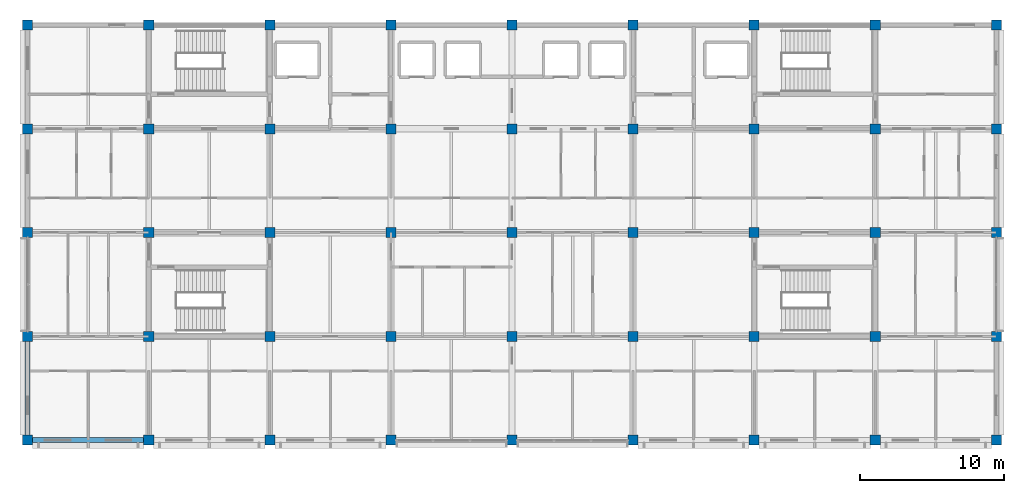
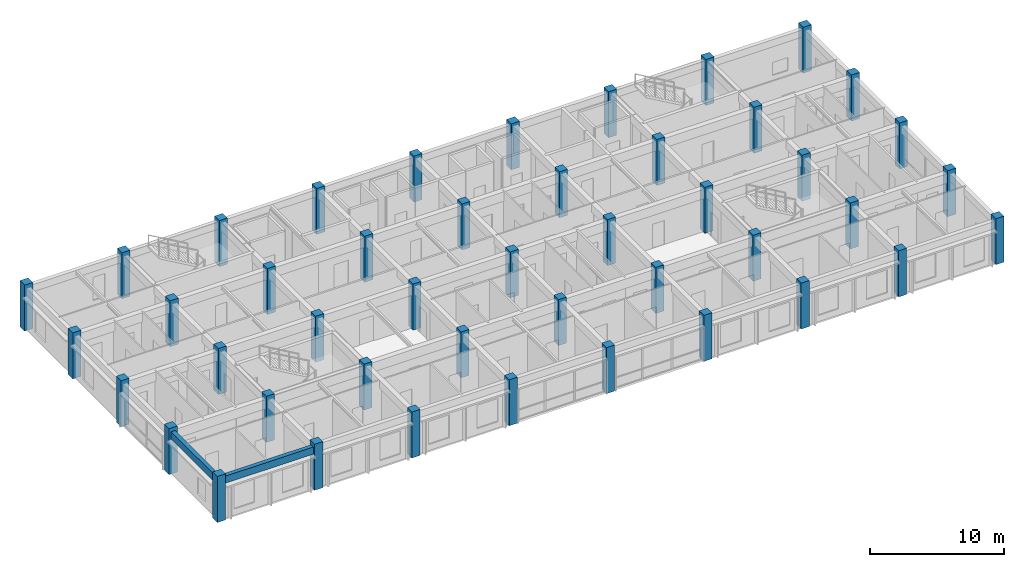
# One storey, part 1 of 19: 45 columns, 2 beams.
"""IFC4 building model written with IfcOpenShell, lengths in metres."""

from ifc_helpers import new_model, si_unit, direction, frame, origin, origin_2d, place, context, subcontext, project, spatial, rectangle, extrude, material, material_profile, profile_set, type_object, element, save


model = new_model("IFC4")

# Units and contexts
model_context = context("Model", 3, precision=1e-05, world=origin(), true_north=direction((0.0, 1.0)))
body_context = subcontext(model_context, "Body", "Model", "MODEL_VIEW")
ifc_project = project(units=[si_unit("LENGTHUNIT", "METRE"), si_unit("AREAUNIT", "SQUARE_METRE"), si_unit("VOLUMEUNIT", "CUBIC_METRE"), si_unit("PLANEANGLEUNIT", "RADIAN"), si_unit("MASSUNIT", "GRAM", prefix="KILO")], contexts=[model_context])

# Site, building, storey
site_placement = place(None, origin())
site = spatial("IfcSite", under=ifc_project, at=site_placement, CompositionType="ELEMENT")
building_placement = place(site_placement, origin())
building = spatial("IfcBuilding", under=site, at=building_placement, Name="Chengyuan Square Courthouse", CompositionType="ELEMENT")
storey_placement = place(building_placement, frame((0.0, 0.0, 56.10009765625)))
storey = spatial("IfcBuildingStorey", under=building, at=storey_placement, Name="L13", CompositionType="ELEMENT", Elevation=56.10009765625)

# Columns
ifc_material = material(Name="Concrete C40", Category="concrete")
ifc_material_profile_1 = material_profile(ifc_material, rectangle(XDim=0.699951171875, YDim=0.699951171875, at=origin_2d()), Name="RC-COL-700x700")
ifc_profile_set_1 = profile_set([ifc_material_profile_1], Name="Concrete C40")
column_type = type_object("IfcColumnType", Name="CL-06", PredefinedType="COLUMN", material=ifc_profile_set_1)
for number, where, z_axis, x_axis, name in (
    (1, (50.39990234375, 79.199951171875, 0.0), (0.0, 0.0, 1.0), (1.0, 0.0, 0.0), "Column CL-L13-001"),
    (2, (50.39990234375, 86.39990234375, 0.0), (0.0, 0.0, 1.0), (1.0, 0.0, 0.0), "Column CL-L13-002"),
    (3, (50.39990234375, 93.60009765625, 0.0), (0.0, 0.0, 1.0), (1.0, 0.0, 0.0), "Column CL-L13-003"),
    (4, (50.39990234375, 100.800048828125, 0.0), (0.0, 0.0, 1.0), (1.0, 0.0, 0.0), "Column CL-L13-004"),
    (5, (50.39990234375, 108.0, 0.0), (0.0, 0.0, 1.0), (1.0, 0.0, 0.0), "Column CL-L13-005"),
    (6, (58.800048828125, 79.199951171875, 0.0), (0.0, 0.0, 1.0), (1.0, 0.0, 0.0), "Column CL-L13-006"),
    (7, (58.800048828125, 86.39990234375, 0.0), (0.0, 0.0, 1.0), (1.0, 0.0, 0.0), "Column CL-L13-007"),
    (8, (58.800048828125, 93.60009765625, 0.0), (0.0, 0.0, 1.0), (1.0, 0.0, 0.0), "Column CL-L13-008"),
    (9, (58.800048828125, 100.800048828125, 0.0), (0.0, 0.0, 1.0), (1.0, 0.0, 0.0), "Column CL-L13-009"),
    (10, (58.800048828125, 108.0, 0.0), (0.0, 0.0, 1.0), (1.0, 0.0, 0.0), "Column CL-L13-010"),
    (11, (67.199951171875, 79.199951171875, 0.0), (0.0, 0.0, 1.0), (1.0, 0.0, 0.0), "Column CL-L13-011"),
    (12, (67.199951171875, 86.39990234375, 0.0), (0.0, 0.0, 1.0), (1.0, 0.0, 0.0), "Column CL-L13-012"),
    (13, (67.199951171875, 93.60009765625, 0.0), (0.0, 0.0, 1.0), (1.0, 0.0, 0.0), "Column CL-L13-013"),
    (14, (67.199951171875, 100.800048828125, 0.0), (0.0, 0.0, 1.0), (1.0, 0.0, 0.0), "Column CL-L13-014"),
    (15, (67.199951171875, 108.0, 0.0), (0.0, 0.0, 1.0), (1.0, 0.0, 0.0), "Column CL-L13-015"),
    (16, (75.60009765625, 79.199951171875, 0.0), (0.0, 0.0, 1.0), (1.0, 0.0, 0.0), "Column CL-L13-016"),
    (17, (75.60009765625, 86.39990234375, 0.0), (0.0, 0.0, 1.0), (1.0, 0.0, 0.0), "Column CL-L13-017"),
    (18, (75.60009765625, 93.60009765625, 0.0), (0.0, 0.0, 1.0), (1.0, 0.0, 0.0), "Column CL-L13-018"),
    (19, (75.60009765625, 100.800048828125, 0.0), (0.0, 0.0, 1.0), (1.0, 0.0, 0.0), "Column CL-L13-019"),
    (20, (75.60009765625, 108.0, 0.0), (0.0, 0.0, 1.0), (1.0, 0.0, 0.0), "Column CL-L13-020"),
    (21, (84.0, 79.199951171875, 0.0), (0.0, 0.0, 1.0), (1.0, 0.0, 0.0), "Column CL-L13-021"),
    (22, (84.0, 86.39990234375, 0.0), (0.0, 0.0, 1.0), (1.0, 0.0, 0.0), "Column CL-L13-022"),
    (23, (84.0, 93.60009765625, 0.0), (0.0, 0.0, 1.0), (1.0, 0.0, 0.0), "Column CL-L13-023"),
    (24, (84.0, 100.800048828125, 0.0), (0.0, 0.0, 1.0), (1.0, 0.0, 0.0), "Column CL-L13-024"),
    (25, (84.0, 108.0, 0.0), (0.0, 0.0, 1.0), (1.0, 0.0, 0.0), "Column CL-L13-025"),
    (26, (92.39990234375, 79.199951171875, 0.0), (0.0, 0.0, 1.0), (1.0, 0.0, 0.0), "Column CL-L13-026"),
    (27, (92.39990234375, 86.39990234375, 0.0), (0.0, 0.0, 1.0), (1.0, 0.0, 0.0), "Column CL-L13-027"),
    (28, (92.39990234375, 93.60009765625, 0.0), (0.0, 0.0, 1.0), (1.0, 0.0, 0.0), "Column CL-L13-028"),
    (29, (92.39990234375, 100.800048828125, 0.0), (0.0, 0.0, 1.0), (1.0, 0.0, 0.0), "Column CL-L13-029"),
    (30, (92.39990234375, 108.0, 0.0), (0.0, 0.0, 1.0), (1.0, 0.0, 0.0), "Column CL-L13-030"),
    (31, (100.800048828125, 79.199951171875, 0.0), (0.0, 0.0, 1.0), (1.0, 0.0, 0.0), "Column CL-L13-031"),
    (32, (100.800048828125, 86.39990234375, 0.0), (0.0, 0.0, 1.0), (1.0, 0.0, 0.0), "Column CL-L13-032"),
    (33, (100.800048828125, 93.60009765625, 0.0), (0.0, 0.0, 1.0), (1.0, 0.0, 0.0), "Column CL-L13-033"),
    (34, (100.800048828125, 100.800048828125, 0.0), (0.0, 0.0, 1.0), (1.0, 0.0, 0.0), "Column CL-L13-034"),
    (35, (100.800048828125, 108.0, 0.0), (0.0, 0.0, 1.0), (1.0, 0.0, 0.0), "Column CL-L13-035"),
    (36, (109.199951171875, 79.199951171875, 0.0), (0.0, 0.0, 1.0), (1.0, 0.0, 0.0), "Column CL-L13-036"),
    (37, (109.199951171875, 86.39990234375, 0.0), (0.0, 0.0, 1.0), (1.0, 0.0, 0.0), "Column CL-L13-037"),
    (38, (109.199951171875, 93.60009765625, 0.0), (0.0, 0.0, 1.0), (1.0, 0.0, 0.0), "Column CL-L13-038"),
    (39, (109.199951171875, 100.800048828125, 0.0), (0.0, 0.0, 1.0), (1.0, 0.0, 0.0), "Column CL-L13-039"),
    (40, (109.199951171875, 108.0, 0.0), (0.0, 0.0, 1.0), (1.0, 0.0, 0.0), "Column CL-L13-040"),
    (41, (117.60009765625, 79.199951171875, 0.0), (0.0, 0.0, 1.0), (1.0, 0.0, 0.0), "Column CL-L13-041"),
    (42, (117.60009765625, 86.39990234375, 0.0), (0.0, 0.0, 1.0), (1.0, 0.0, 0.0), "Column CL-L13-042"),
    (43, (117.60009765625, 93.60009765625, 0.0), (0.0, 0.0, 1.0), (1.0, 0.0, 0.0), "Column CL-L13-043"),
    (44, (117.60009765625, 100.800048828125, 0.0), (0.0, 0.0, 1.0), (1.0, 0.0, 0.0), "Column CL-L13-044"),
    (45, (117.60009765625, 108.0, 0.0), (0.0, 0.0, 1.0), (1.0, 0.0, 0.0), "Column CL-L13-045"),
):
    element("IfcColumn", number, at=place(storey_placement, frame(where, z_axis=z_axis, x_axis=x_axis)), inside=storey, type_object=column_type, Name=name, PredefinedType="COLUMN", context=body_context, shape_type="SweptSolid", body=[
        extrude(rectangle(XDim=0.699951171875, YDim=0.699951171875, at=origin_2d()), origin(), (0.0, 0.0, 1.0), 4.199951171875),
    ])

# Beams
ifc_material_profile_2 = material_profile(ifc_material, rectangle(XDim=0.35009765625, YDim=0.64990234375, at=origin_2d()), Name="RC-BM-350x650")
ifc_profile_set_2 = profile_set([ifc_material_profile_2], Name="Concrete C40")
beam_type = type_object("IfcBeamType", Name="BM-03", PredefinedType="SPANDREL", material=ifc_profile_set_2)
beam_1_placement = place(storey_placement, frame((50.39990234375, 79.199951171875, 3.52490234375), z_axis=(1.0, 0.0, 0.0), x_axis=(0.0, 1.0, 0.0)))
element("IfcBeam", 46, at=beam_1_placement, inside=storey, type_object=beam_type, Name="Girder BM-L13-4335", PredefinedType="SPANDREL", context=body_context, shape_type="SweptSolid", body=[
    extrude(rectangle(XDim=0.35009765625, YDim=0.64990234375, at=origin_2d()), origin(), (0.0, 0.0, 1.0), 8.400146484375),
])
beam_2_placement = place(storey_placement, frame((50.39990234375, 79.199951171875, 3.52490234375), z_axis=(0.0, 1.0, 0.0), x_axis=(-1.0, 0.0, 0.0)))
element("IfcBeam", 47, at=beam_2_placement, inside=storey, type_object=beam_type, Name="Girder BM-L13-4375", PredefinedType="SPANDREL", context=body_context, shape_type="SweptSolid", body=[
    extrude(rectangle(XDim=0.35009765625, YDim=0.64990234375, at=origin_2d()), origin(), (0.0, 0.0, 1.0), 7.199951171875),
])

save(model, "model.ifc")
